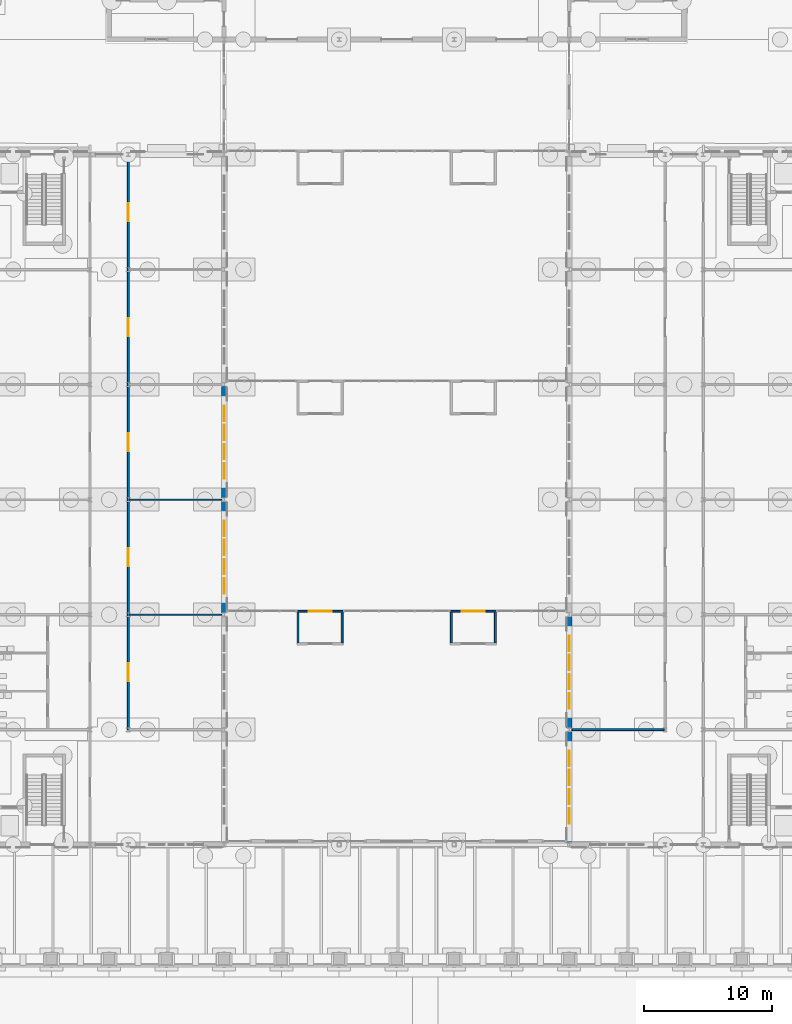
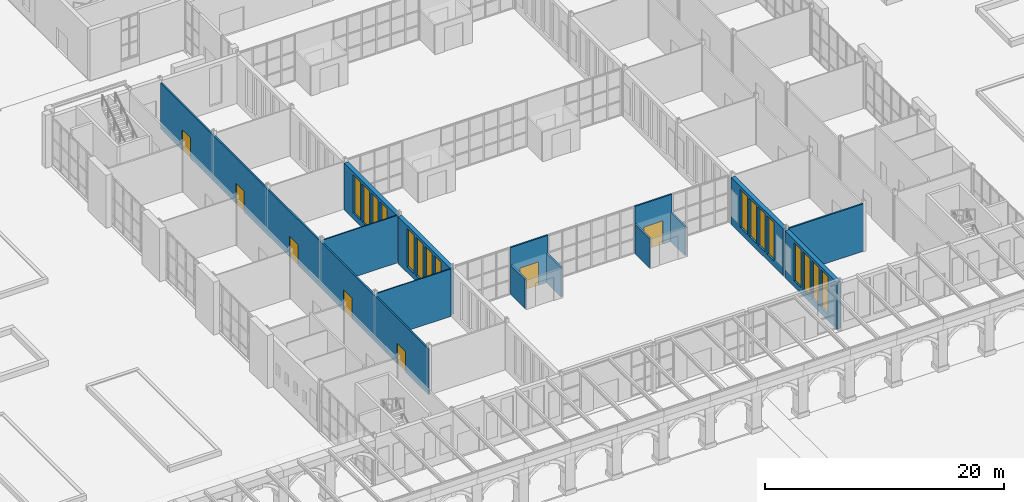
# One storey, part 88 of 168: 16 windows, 14 walls, 7 doors, 23 openings.
"""IFC4 building model written with IfcOpenShell, lengths in metres."""

from ifc_helpers import new_model, si_unit, direction, frame, frame_2d, origin, place, context, subcontext, project, spatial, rectangle, extrude, material, layer, layer_set, type_object, element, fill, save


model = new_model("IFC4")

# Units and contexts
model_context = context("Model", 3, precision=1e-05, world=origin(), true_north=direction((0.0, 1.0)))
body_context = subcontext(model_context, "Body", "Model", "MODEL_VIEW")
ifc_project = project(units=[si_unit("LENGTHUNIT", "METRE"), si_unit("AREAUNIT", "SQUARE_METRE"), si_unit("VOLUMEUNIT", "CUBIC_METRE"), si_unit("PLANEANGLEUNIT", "RADIAN"), si_unit("MASSUNIT", "GRAM", prefix="KILO")], contexts=[model_context])

# Site, building, storey
site_placement = place(None, origin())
site = spatial("IfcSite", under=ifc_project, at=site_placement, CompositionType="ELEMENT")
building_placement = place(site_placement, origin())
building = spatial("IfcBuilding", under=site, at=building_placement, Name="Golden Quay Civic Hall", CompositionType="ELEMENT")
storey_placement = place(building_placement, origin())
storey = spatial("IfcBuildingStorey", under=building, at=storey_placement, Name="L00", CompositionType="ELEMENT", Elevation=0.0)

# Walls
ifc_material_1 = material(Name="Fire-resisting glass and steel", Category="steel")
ifc_layer_1 = layer(ifc_material_1, 0.14990234375)
ifc_layer_set_1 = layer_set([ifc_layer_1], Name="Fire lobby glazed wall 150")
wall_type_1 = type_object("IfcWallType", Name="Fire lobby glazed wall 150", PredefinedType="STANDARD", material=ifc_layer_set_1)
for number, where, z_axis, x_axis, name in (
    (1, (77.77490234375, 15.794921875, 0.0), (0.0, 0.0, 1.0), (0.0, 1.0, 0.0), "Fire lobby wall 1"),
    (2, (81.22509765625, 15.794921875, 0.0), (0.0, 0.0, 1.0), (0.0, 1.0, 0.0), "Fire lobby wall 1"),
    (3, (89.77490234375, 15.794921875, 0.0), (0.0, 0.0, 1.0), (0.0, 1.0, 0.0), "Fire lobby wall 1"),
    (4, (93.22509765625, 15.794921875, 0.0), (0.0, 0.0, 1.0), (0.0, 1.0, 0.0), "Fire lobby wall 1"),
):
    element("IfcWall", number, at=place(storey_placement, frame(where, z_axis=z_axis, x_axis=x_axis)), inside=storey, type_object=wall_type_1, Name=name, PredefinedType="STANDARD", context=body_context, shape_type="SweptSolid", body=[
        extrude(rectangle(XDim=2.400146484375, YDim=0.14990234375, at=frame_2d((1.2001953125, 0.0))), origin(), (0.0, 0.0, 1.0), 3.0),
    ])

# Wall, opening, door
ifc_material_2 = material(Name="Fire-resisting glass and steel", Category="steel")
ifc_layer_2 = layer(ifc_material_2, 0.14990234375)
ifc_layer_set_2 = layer_set([ifc_layer_2], Name="Fire-resisting glazed screen wall 150")
wall_type_2 = type_object("IfcWallType", Name="Fire-resisting glazed screen wall 150", PredefinedType="STANDARD", material=ifc_layer_set_2)
wall_1_placement = place(storey_placement, frame((77.699951171875, 18.27001953125, 0.0), z_axis=(0.0, 0.0, 1.0), x_axis=(1.0, 0.0, 0.0)))
wall_1 = element("IfcWall", 5, at=wall_1_placement, inside=storey, type_object=wall_type_2, Name="Fire screen wall 1", PredefinedType="STANDARD", context=body_context, shape_type="SweptSolid", body=[
    extrude(rectangle(XDim=3.60009765625, YDim=0.14990234375, at=frame_2d((1.800048828125, 0.0))), origin(), (0.0, 0.0, 1.0), 4.800048828125),
])
opening_1_placement = place(wall_1_placement, frame((0.89990234375, 0.0, 0.0)))
opening_1 = element("IfcOpeningElement", 6, at=opening_1_placement, cuts=wall_1, Name="Opening L00-D022", PredefinedType="OPENING", context=body_context, shape_type="SweptSolid", body=[
    extrude(rectangle(XDim=1.800048828125, YDim=2.39990234375, at=frame_2d((0.89990234375, 1.199951171875))), frame((0.0, 0.0849609375, 0.0), z_axis=(0.0, -1.0, 0.0), x_axis=(1.0, 0.0, 0.0)), (0.0, 0.0, 1.0), 0.169921875),
])
ifc_material_3 = material(Name="Fire-resisting glass and steel", Category="steel")
door_type_1 = type_object("IfcDoorType", Name="Fire-rated glazed double door 1800 x 2400", OperationType="DOUBLE_DOOR_SINGLE_SWING", PredefinedType="DOOR", material=ifc_material_3)
door_1_placement = place(opening_1_placement, origin())
door_1 = element("IfcDoor", 7, at=door_1_placement, inside=storey, type_object=door_type_1, Name="Fire screen door 1", OperationType="DOUBLE_DOOR_SINGLE_SWING", OverallHeight=2.39990234375, OverallWidth=1.800048828125, PredefinedType="DOOR", context=body_context, shape_type="SweptSolid", body=[
    extrude(rectangle(XDim=1.800048828125, YDim=2.39990234375, at=frame_2d((0.89990234375, 1.199951171875))), frame((0.0, 0.02490234375, 0.0), z_axis=(0.0, -1.0, 0.0), x_axis=(1.0, 0.0, 0.0)), (0.0, 0.0, 1.0), 0.050048828125),
])
fill(opening_1, door_1)

wall_2_placement = place(storey_placement, frame((89.699951171875, 18.27001953125, 0.0), z_axis=(0.0, 0.0, 1.0), x_axis=(1.0, 0.0, 0.0)))
wall_2 = element("IfcWall", 8, at=wall_2_placement, inside=storey, type_object=wall_type_2, Name="Fire screen wall 1", PredefinedType="STANDARD", context=body_context, shape_type="SweptSolid", body=[
    extrude(rectangle(XDim=3.60009765625, YDim=0.14990234375, at=frame_2d((1.800048828125, 0.0))), origin(), (0.0, 0.0, 1.0), 4.800048828125),
])
opening_2_placement = place(wall_2_placement, frame((0.89990234375, 0.0, 0.0)))
opening_2 = element("IfcOpeningElement", 9, at=opening_2_placement, cuts=wall_2, Name="Opening L00-D023", PredefinedType="OPENING", context=body_context, shape_type="SweptSolid", body=[
    extrude(rectangle(XDim=1.800048828125, YDim=2.39990234375, at=frame_2d((0.89990234375, 1.199951171875))), frame((0.0, 0.0849609375, 0.0), z_axis=(0.0, -1.0, 0.0), x_axis=(1.0, 0.0, 0.0)), (0.0, 0.0, 1.0), 0.169921875),
])
door_2_placement = place(opening_2_placement, origin())
door_2 = element("IfcDoor", 10, at=door_2_placement, inside=storey, type_object=door_type_1, Name="Fire screen door 1", OperationType="DOUBLE_DOOR_SINGLE_SWING", OverallHeight=2.39990234375, OverallWidth=1.800048828125, PredefinedType="DOOR", context=body_context, shape_type="SweptSolid", body=[
    extrude(rectangle(XDim=1.800048828125, YDim=2.39990234375, at=frame_2d((0.89990234375, 1.199951171875))), frame((0.0, 0.02490234375, 0.0), z_axis=(0.0, -1.0, 0.0), x_axis=(1.0, 0.0, 0.0)), (0.0, 0.0, 1.0), 0.050048828125),
])
fill(opening_2, door_2)

# Walls
ifc_material_4 = material(Name="Plasterboard on steel studs", Category="steel")
ifc_layer_3 = layer(ifc_material_4, 0.10009765625)
ifc_layer_set_3 = layer_set([ifc_layer_3], Name="Partition 100 stud")
wall_type_3 = type_object("IfcWallType", Name="Partition 100 stud", PredefinedType="PARTITIONING", material=ifc_layer_set_3)
for number, where, z_axis, x_axis, name in (
    (11, (64.574951171875, 18.0, 0.0), (0.0, 0.0, 1.0), (1.0, 0.0, 0.0), "Partition L00-005"),
    (12, (64.574951171875, 27.0, 0.0), (0.0, 0.0, 1.0), (1.0, 0.0, 0.0), "Partition L00-006"),
):
    element("IfcWall", number, at=place(storey_placement, frame(where, z_axis=z_axis, x_axis=x_axis)), inside=storey, type_object=wall_type_3, Name=name, PredefinedType="PARTITIONING", context=body_context, shape_type="SweptSolid", body=[
        extrude(rectangle(XDim=7.22509765625, YDim=0.10009765625, at=frame_2d((3.612548828125, 0.0))), origin(), (0.0, 0.0, 1.0), 4.85009765625),
    ])

# Wall, openings, doors
ifc_material_5 = material(Name="Plasterboard on steel studs", Category="steel")
ifc_layer_4 = layer(ifc_material_5, 0.14990234375)
ifc_layer_set_4 = layer_set([ifc_layer_4], Name="Partition 150 stud fire EI 60")
wall_type_4 = type_object("IfcWallType", Name="Partition 150 stud fire EI 60", PredefinedType="PARTITIONING", material=ifc_layer_set_4)
wall_3_placement = place(storey_placement, frame((64.5, 9.0, 0.0), z_axis=(0.0, 0.0, 1.0), x_axis=(0.0, 1.0, 0.0)))
wall_3 = element("IfcWall", 13, at=wall_3_placement, inside=storey, type_object=wall_type_4, Name="Partition L00-011", PredefinedType="PARTITIONING", context=body_context, shape_type="SweptSolid", body=[
    extrude(rectangle(XDim=44.800048828125, YDim=0.14990234375, at=frame_2d((22.39990234375, 0.0))), origin(), (0.0, 0.0, 1.0), 4.679931640625),
])
opening_3_placement = place(wall_3_placement, frame((3.800048828125, 0.0, 0.0)))
opening_3 = element("IfcOpeningElement", 14, at=opening_3_placement, cuts=wall_3, Name="Opening L00-D112", PredefinedType="OPENING", context=body_context, shape_type="SweptSolid", body=[
    extrude(rectangle(XDim=1.39990234375, YDim=2.10009765625, at=frame_2d((0.699951171875, 1.050048828125))), frame((0.0, 0.0849609375, 0.0), z_axis=(0.0, -1.0, 0.0), x_axis=(1.0, 0.0, 0.0)), (0.0, 0.0, 1.0), 0.169921875),
])
opening_4_placement = place(wall_3_placement, frame((12.800048828125, 0.0, 0.0)))
opening_4 = element("IfcOpeningElement", 15, at=opening_4_placement, cuts=wall_3, Name="Opening L00-D113", PredefinedType="OPENING", context=body_context, shape_type="SweptSolid", body=[
    extrude(rectangle(XDim=1.39990234375, YDim=2.10009765625, at=frame_2d((0.699951171875, 1.050048828125))), frame((0.0, 0.0849609375, 0.0), z_axis=(0.0, -1.0, 0.0), x_axis=(1.0, 0.0, 0.0)), (0.0, 0.0, 1.0), 0.169921875),
])
opening_5_placement = place(wall_3_placement, frame((21.800048828125, 0.0, 0.0)))
opening_5 = element("IfcOpeningElement", 16, at=opening_5_placement, cuts=wall_3, Name="Opening L00-D114", PredefinedType="OPENING", context=body_context, shape_type="SweptSolid", body=[
    extrude(rectangle(XDim=1.39990234375, YDim=2.10009765625, at=frame_2d((0.699951171875, 1.050048828125))), frame((0.0, 0.0849609375, 0.0), z_axis=(0.0, -1.0, 0.0), x_axis=(1.0, 0.0, 0.0)), (0.0, 0.0, 1.0), 0.169921875),
])
opening_6_placement = place(wall_3_placement, frame((30.800048828125, 0.0, 0.0)))
opening_6 = element("IfcOpeningElement", 17, at=opening_6_placement, cuts=wall_3, Name="Opening L00-D115", PredefinedType="OPENING", context=body_context, shape_type="SweptSolid", body=[
    extrude(rectangle(XDim=1.39990234375, YDim=2.10009765625, at=frame_2d((0.699951171875, 1.050048828125))), frame((0.0, 0.0849609375, 0.0), z_axis=(0.0, -1.0, 0.0), x_axis=(1.0, 0.0, 0.0)), (0.0, 0.0, 1.0), 0.169921875),
])
opening_7_placement = place(wall_3_placement, frame((39.800048828125, 0.0, 0.0)))
opening_7 = element("IfcOpeningElement", 18, at=opening_7_placement, cuts=wall_3, Name="Opening L00-D116", PredefinedType="OPENING", context=body_context, shape_type="SweptSolid", body=[
    extrude(rectangle(XDim=1.39990234375, YDim=2.10009765625, at=frame_2d((0.699951171875, 1.050048828125))), frame((0.0, 0.0849609375, 0.0), z_axis=(0.0, -1.0, 0.0), x_axis=(1.0, 0.0, 0.0)), (0.0, 0.0, 1.0), 0.169921875),
])
ifc_material_6 = material(Name="Steel", Category="steel")
door_type_2 = type_object("IfcDoorType", Name="Steel double fire door FD30S 1400 x 2100", OperationType="DOUBLE_DOOR_SINGLE_SWING", PredefinedType="DOOR", material=ifc_material_6)
door_3_placement = place(opening_3_placement, frame((1.39990234375, 0.0, 0.0), z_axis=(0.0, 0.0, 1.0), x_axis=(-1.0, 0.0, 0.0)))
door_3 = element("IfcDoor", 19, at=door_3_placement, inside=storey, type_object=door_type_2, Name="Door L00-D112", OperationType="DOUBLE_DOOR_SINGLE_SWING", OverallHeight=2.10009765625, OverallWidth=1.39990234375, PredefinedType="DOOR", context=body_context, shape_type="SweptSolid", body=[
    extrude(rectangle(XDim=1.39990234375, YDim=2.10009765625, at=frame_2d((0.699951171875, 1.050048828125))), frame((0.0, 0.025146484375, 0.0), z_axis=(0.0, -1.0, 0.0), x_axis=(1.0, 0.0, 0.0)), (0.0, 0.0, 1.0), 0.050048828125),
])
fill(opening_3, door_3)
door_4_placement = place(opening_4_placement, frame((1.39990234375, 0.0, 0.0), z_axis=(0.0, 0.0, 1.0), x_axis=(-1.0, 0.0, 0.0)))
door_4 = element("IfcDoor", 20, at=door_4_placement, inside=storey, type_object=door_type_2, Name="Door L00-D113", OperationType="DOUBLE_DOOR_SINGLE_SWING", OverallHeight=2.10009765625, OverallWidth=1.39990234375, PredefinedType="DOOR", context=body_context, shape_type="SweptSolid", body=[
    extrude(rectangle(XDim=1.39990234375, YDim=2.10009765625, at=frame_2d((0.699951171875, 1.050048828125))), frame((0.0, 0.025146484375, 0.0), z_axis=(0.0, -1.0, 0.0), x_axis=(1.0, 0.0, 0.0)), (0.0, 0.0, 1.0), 0.050048828125),
])
fill(opening_4, door_4)
door_5_placement = place(opening_5_placement, frame((1.39990234375, 0.0, 0.0), z_axis=(0.0, 0.0, 1.0), x_axis=(-1.0, 0.0, 0.0)))
door_5 = element("IfcDoor", 21, at=door_5_placement, inside=storey, type_object=door_type_2, Name="Door L00-D114", OperationType="DOUBLE_DOOR_SINGLE_SWING", OverallHeight=2.10009765625, OverallWidth=1.39990234375, PredefinedType="DOOR", context=body_context, shape_type="SweptSolid", body=[
    extrude(rectangle(XDim=1.39990234375, YDim=2.10009765625, at=frame_2d((0.699951171875, 1.050048828125))), frame((0.0, 0.025146484375, 0.0), z_axis=(0.0, -1.0, 0.0), x_axis=(1.0, 0.0, 0.0)), (0.0, 0.0, 1.0), 0.050048828125),
])
fill(opening_5, door_5)
door_6_placement = place(opening_6_placement, frame((1.39990234375, 0.0, 0.0), z_axis=(0.0, 0.0, 1.0), x_axis=(-1.0, 0.0, 0.0)))
door_6 = element("IfcDoor", 22, at=door_6_placement, inside=storey, type_object=door_type_2, Name="Door L00-D115", OperationType="DOUBLE_DOOR_SINGLE_SWING", OverallHeight=2.10009765625, OverallWidth=1.39990234375, PredefinedType="DOOR", context=body_context, shape_type="SweptSolid", body=[
    extrude(rectangle(XDim=1.39990234375, YDim=2.10009765625, at=frame_2d((0.699951171875, 1.050048828125))), frame((0.0, 0.025146484375, 0.0), z_axis=(0.0, -1.0, 0.0), x_axis=(1.0, 0.0, 0.0)), (0.0, 0.0, 1.0), 0.050048828125),
])
fill(opening_6, door_6)
door_7_placement = place(opening_7_placement, frame((1.39990234375, 0.0, 0.0), z_axis=(0.0, 0.0, 1.0), x_axis=(-1.0, 0.0, 0.0)))
door_7 = element("IfcDoor", 23, at=door_7_placement, inside=storey, type_object=door_type_2, Name="Door L00-D116", OperationType="DOUBLE_DOOR_SINGLE_SWING", OverallHeight=2.10009765625, OverallWidth=1.39990234375, PredefinedType="DOOR", context=body_context, shape_type="SweptSolid", body=[
    extrude(rectangle(XDim=1.39990234375, YDim=2.10009765625, at=frame_2d((0.699951171875, 1.050048828125))), frame((0.0, 0.025146484375, 0.0), z_axis=(0.0, -1.0, 0.0), x_axis=(1.0, 0.0, 0.0)), (0.0, 0.0, 1.0), 0.050048828125),
])
fill(opening_7, door_7)

# Wall
wall_4_placement = place(storey_placement, frame((99.199951171875, 9.0, 0.0), z_axis=(0.0, 0.0, 1.0), x_axis=(1.0, 0.0, 0.0)))
element("IfcWall", 24, at=wall_4_placement, inside=storey, type_object=wall_type_4, Name="Partition L00-004", PredefinedType="PARTITIONING", context=body_context, shape_type="SweptSolid", body=[
    extrude(rectangle(XDim=7.22509765625, YDim=0.14990234375, at=frame_2d((3.612548828125, 0.0))), origin(), (0.0, 0.0, 1.0), 4.85009765625),
])

# Wall, openings, windows
ifc_material_7 = material(Name="Clay block, rendered, cream")
ifc_layer_5 = layer(ifc_material_7, 0.39990234375)
ifc_layer_set_5 = layer_set([ifc_layer_5], Name="Rendered block external wall 400")
wall_type_5 = type_object("IfcWallType", Name="Rendered block external wall 400", PredefinedType="STANDARD", material=ifc_layer_set_5)
wall_5_placement = place(storey_placement, frame((72.0, 26.85498046875, 0.0), z_axis=(0.0, 0.0, 1.0), x_axis=(0.0, -1.0, 0.0)))
wall_5 = element("IfcWall", 25, at=wall_5_placement, inside=storey, type_object=wall_type_5, Name="Rendered block external wall 400 L00 26", PredefinedType="STANDARD", context=body_context, shape_type="SweptSolid", body=[
    extrude(rectangle(XDim=8.7099609375, YDim=0.39990234375, at=frame_2d((4.35498046875, 0.0))), origin(), (0.0, 0.0, 1.0), 4.800048828125),
])
opening_8_placement = place(wall_5_placement, frame((6.0048828125, 0.0, 0.60009765625)))
opening_8 = element("IfcOpeningElement", 26, at=opening_8_placement, cuts=wall_5, Name="Opening WN3", PredefinedType="OPENING", context=body_context, shape_type="SweptSolid", body=[
    extrude(rectangle(XDim=1.199951171875, YDim=3.89990234375, at=frame_2d((0.60009765625, 1.949951171875))), frame((0.0, 0.2099609375, 0.0), z_axis=(0.0, -1.0, 0.0), x_axis=(1.0, 0.0, 0.0)), (0.0, 0.0, 1.0), 0.419921875),
])
opening_9_placement = place(wall_5_placement, frame((4.5048828125, 0.0, 0.60009765625)))
opening_9 = element("IfcOpeningElement", 27, at=opening_9_placement, cuts=wall_5, Name="Opening WN3", PredefinedType="OPENING", context=body_context, shape_type="SweptSolid", body=[
    extrude(rectangle(XDim=1.199951171875, YDim=3.89990234375, at=frame_2d((0.60009765625, 1.949951171875))), frame((0.0, 0.2099609375, 0.0), z_axis=(0.0, -1.0, 0.0), x_axis=(1.0, 0.0, 0.0)), (0.0, 0.0, 1.0), 0.419921875),
])
opening_10_placement = place(wall_5_placement, frame((3.0048828125, 0.0, 0.60009765625)))
opening_10 = element("IfcOpeningElement", 28, at=opening_10_placement, cuts=wall_5, Name="Opening WN3", PredefinedType="OPENING", context=body_context, shape_type="SweptSolid", body=[
    extrude(rectangle(XDim=1.199951171875, YDim=3.89990234375, at=frame_2d((0.60009765625, 1.949951171875))), frame((0.0, 0.2099609375, 0.0), z_axis=(0.0, -1.0, 0.0), x_axis=(1.0, 0.0, 0.0)), (0.0, 0.0, 1.0), 0.419921875),
])
opening_11_placement = place(wall_5_placement, frame((1.5048828125, 0.0, 0.60009765625)))
opening_11 = element("IfcOpeningElement", 29, at=opening_11_placement, cuts=wall_5, Name="Opening WN3", PredefinedType="OPENING", context=body_context, shape_type="SweptSolid", body=[
    extrude(rectangle(XDim=1.199951171875, YDim=3.89990234375, at=frame_2d((0.60009765625, 1.949951171875))), frame((0.0, 0.2099609375, 0.0), z_axis=(0.0, -1.0, 0.0), x_axis=(1.0, 0.0, 0.0)), (0.0, 0.0, 1.0), 0.419921875),
])
ifc_material_8 = material(Name="Aluminium frame, double glazed", Category="aluminium")
window_type = type_object("IfcWindowType", Name="Golden grid window 1200 x 3900", PartitioningType="SINGLE_PANEL", PredefinedType="WINDOW", material=ifc_material_8)
window_1_placement = place(opening_8_placement, origin())
window_1 = element("IfcWindow", 30, at=window_1_placement, inside=storey, type_object=window_type, Name="Golden grid window 1200 x 3900 L00 51", OverallHeight=3.89990234375, OverallWidth=1.199951171875, PartitioningType="SINGLE_PANEL", PredefinedType="WINDOW", context=body_context, shape_type="SweptSolid", body=[
    extrude(rectangle(XDim=1.199951171875, YDim=3.89990234375, at=frame_2d((0.60009765625, 1.949951171875))), frame((0.0, 0.030029296875, 0.0), z_axis=(0.0, -1.0, 0.0), x_axis=(1.0, 0.0, 0.0)), (0.0, 0.0, 1.0), 0.06005859375),
])
fill(opening_8, window_1)
window_2_placement = place(opening_9_placement, origin())
window_2 = element("IfcWindow", 31, at=window_2_placement, inside=storey, type_object=window_type, Name="Golden grid window 1200 x 3900 L00 52", OverallHeight=3.89990234375, OverallWidth=1.199951171875, PartitioningType="SINGLE_PANEL", PredefinedType="WINDOW", context=body_context, shape_type="SweptSolid", body=[
    extrude(rectangle(XDim=1.199951171875, YDim=3.89990234375, at=frame_2d((0.60009765625, 1.949951171875))), frame((0.0, 0.030029296875, 0.0), z_axis=(0.0, -1.0, 0.0), x_axis=(1.0, 0.0, 0.0)), (0.0, 0.0, 1.0), 0.06005859375),
])
fill(opening_9, window_2)
window_3_placement = place(opening_10_placement, origin())
window_3 = element("IfcWindow", 32, at=window_3_placement, inside=storey, type_object=window_type, Name="Golden grid window 1200 x 3900 L00 53", OverallHeight=3.89990234375, OverallWidth=1.199951171875, PartitioningType="SINGLE_PANEL", PredefinedType="WINDOW", context=body_context, shape_type="SweptSolid", body=[
    extrude(rectangle(XDim=1.199951171875, YDim=3.89990234375, at=frame_2d((0.60009765625, 1.949951171875))), frame((0.0, 0.030029296875, 0.0), z_axis=(0.0, -1.0, 0.0), x_axis=(1.0, 0.0, 0.0)), (0.0, 0.0, 1.0), 0.06005859375),
])
fill(opening_10, window_3)
window_4_placement = place(opening_11_placement, origin())
window_4 = element("IfcWindow", 33, at=window_4_placement, inside=storey, type_object=window_type, Name="Golden grid window 1200 x 3900 L00 54", OverallHeight=3.89990234375, OverallWidth=1.199951171875, PartitioningType="SINGLE_PANEL", PredefinedType="WINDOW", context=body_context, shape_type="SweptSolid", body=[
    extrude(rectangle(XDim=1.199951171875, YDim=3.89990234375, at=frame_2d((0.60009765625, 1.949951171875))), frame((0.0, 0.030029296875, 0.0), z_axis=(0.0, -1.0, 0.0), x_axis=(1.0, 0.0, 0.0)), (0.0, 0.0, 1.0), 0.06005859375),
])
fill(opening_11, window_4)

wall_6_placement = place(storey_placement, frame((72.0, 35.85498046875, 0.0), z_axis=(0.0, 0.0, 1.0), x_axis=(0.0, -1.0, 0.0)))
wall_6 = element("IfcWall", 34, at=wall_6_placement, inside=storey, type_object=wall_type_5, Name="Rendered block external wall 400 L00 27", PredefinedType="STANDARD", context=body_context, shape_type="SweptSolid", body=[
    extrude(rectangle(XDim=8.7099609375, YDim=0.39990234375, at=frame_2d((4.35498046875, 0.0))), origin(), (0.0, 0.0, 1.0), 4.800048828125),
])
opening_12_placement = place(wall_6_placement, frame((6.0048828125, 0.0, 0.60009765625)))
opening_12 = element("IfcOpeningElement", 35, at=opening_12_placement, cuts=wall_6, Name="Opening WN3", PredefinedType="OPENING", context=body_context, shape_type="SweptSolid", body=[
    extrude(rectangle(XDim=1.199951171875, YDim=3.89990234375, at=frame_2d((0.60009765625, 1.949951171875))), frame((0.0, 0.2099609375, 0.0), z_axis=(0.0, -1.0, 0.0), x_axis=(1.0, 0.0, 0.0)), (0.0, 0.0, 1.0), 0.419921875),
])
opening_13_placement = place(wall_6_placement, frame((4.5048828125, 0.0, 0.60009765625)))
opening_13 = element("IfcOpeningElement", 36, at=opening_13_placement, cuts=wall_6, Name="Opening WN3", PredefinedType="OPENING", context=body_context, shape_type="SweptSolid", body=[
    extrude(rectangle(XDim=1.199951171875, YDim=3.89990234375, at=frame_2d((0.60009765625, 1.949951171875))), frame((0.0, 0.2099609375, 0.0), z_axis=(0.0, -1.0, 0.0), x_axis=(1.0, 0.0, 0.0)), (0.0, 0.0, 1.0), 0.419921875),
])
opening_14_placement = place(wall_6_placement, frame((3.0048828125, 0.0, 0.60009765625)))
opening_14 = element("IfcOpeningElement", 37, at=opening_14_placement, cuts=wall_6, Name="Opening WN3", PredefinedType="OPENING", context=body_context, shape_type="SweptSolid", body=[
    extrude(rectangle(XDim=1.199951171875, YDim=3.89990234375, at=frame_2d((0.60009765625, 1.949951171875))), frame((0.0, 0.2099609375, 0.0), z_axis=(0.0, -1.0, 0.0), x_axis=(1.0, 0.0, 0.0)), (0.0, 0.0, 1.0), 0.419921875),
])
opening_15_placement = place(wall_6_placement, frame((1.5048828125, 0.0, 0.60009765625)))
opening_15 = element("IfcOpeningElement", 38, at=opening_15_placement, cuts=wall_6, Name="Opening WN3", PredefinedType="OPENING", context=body_context, shape_type="SweptSolid", body=[
    extrude(rectangle(XDim=1.199951171875, YDim=3.89990234375, at=frame_2d((0.60009765625, 1.949951171875))), frame((0.0, 0.2099609375, 0.0), z_axis=(0.0, -1.0, 0.0), x_axis=(1.0, 0.0, 0.0)), (0.0, 0.0, 1.0), 0.419921875),
])
window_5_placement = place(opening_12_placement, origin())
window_5 = element("IfcWindow", 39, at=window_5_placement, inside=storey, type_object=window_type, Name="Golden grid window 1200 x 3900 L00 55", OverallHeight=3.89990234375, OverallWidth=1.199951171875, PartitioningType="SINGLE_PANEL", PredefinedType="WINDOW", context=body_context, shape_type="SweptSolid", body=[
    extrude(rectangle(XDim=1.199951171875, YDim=3.89990234375, at=frame_2d((0.60009765625, 1.949951171875))), frame((0.0, 0.030029296875, 0.0), z_axis=(0.0, -1.0, 0.0), x_axis=(1.0, 0.0, 0.0)), (0.0, 0.0, 1.0), 0.06005859375),
])
fill(opening_12, window_5)
window_6_placement = place(opening_13_placement, origin())
window_6 = element("IfcWindow", 40, at=window_6_placement, inside=storey, type_object=window_type, Name="Golden grid window 1200 x 3900 L00 56", OverallHeight=3.89990234375, OverallWidth=1.199951171875, PartitioningType="SINGLE_PANEL", PredefinedType="WINDOW", context=body_context, shape_type="SweptSolid", body=[
    extrude(rectangle(XDim=1.199951171875, YDim=3.89990234375, at=frame_2d((0.60009765625, 1.949951171875))), frame((0.0, 0.030029296875, 0.0), z_axis=(0.0, -1.0, 0.0), x_axis=(1.0, 0.0, 0.0)), (0.0, 0.0, 1.0), 0.06005859375),
])
fill(opening_13, window_6)
window_7_placement = place(opening_14_placement, origin())
window_7 = element("IfcWindow", 41, at=window_7_placement, inside=storey, type_object=window_type, Name="Golden grid window 1200 x 3900 L00 57", OverallHeight=3.89990234375, OverallWidth=1.199951171875, PartitioningType="SINGLE_PANEL", PredefinedType="WINDOW", context=body_context, shape_type="SweptSolid", body=[
    extrude(rectangle(XDim=1.199951171875, YDim=3.89990234375, at=frame_2d((0.60009765625, 1.949951171875))), frame((0.0, 0.030029296875, 0.0), z_axis=(0.0, -1.0, 0.0), x_axis=(1.0, 0.0, 0.0)), (0.0, 0.0, 1.0), 0.06005859375),
])
fill(opening_14, window_7)
window_8_placement = place(opening_15_placement, origin())
window_8 = element("IfcWindow", 42, at=window_8_placement, inside=storey, type_object=window_type, Name="Golden grid window 1200 x 3900 L00 58", OverallHeight=3.89990234375, OverallWidth=1.199951171875, PartitioningType="SINGLE_PANEL", PredefinedType="WINDOW", context=body_context, shape_type="SweptSolid", body=[
    extrude(rectangle(XDim=1.199951171875, YDim=3.89990234375, at=frame_2d((0.60009765625, 1.949951171875))), frame((0.0, 0.030029296875, 0.0), z_axis=(0.0, -1.0, 0.0), x_axis=(1.0, 0.0, 0.0)), (0.0, 0.0, 1.0), 0.06005859375),
])
fill(opening_15, window_8)

wall_7_placement = place(storey_placement, frame((99.0, 0.14501953125, 0.0), z_axis=(0.0, 0.0, 1.0), x_axis=(0.0, 1.0, 0.0)))
wall_7 = element("IfcWall", 43, at=wall_7_placement, inside=storey, type_object=wall_type_5, Name="Rendered block external wall 400 L00 32", PredefinedType="STANDARD", context=body_context, shape_type="SweptSolid", body=[
    extrude(rectangle(XDim=8.7099609375, YDim=0.39990234375, at=frame_2d((4.35498046875, 0.0))), origin(), (0.0, 0.0, 1.0), 4.800048828125),
])
opening_16_placement = place(wall_7_placement, frame((1.5048828125, 0.0, 0.60009765625)))
opening_16 = element("IfcOpeningElement", 44, at=opening_16_placement, cuts=wall_7, Name="Opening WN3", PredefinedType="OPENING", context=body_context, shape_type="SweptSolid", body=[
    extrude(rectangle(XDim=1.199951171875, YDim=3.89990234375, at=frame_2d((0.60009765625, 1.949951171875))), frame((0.0, 0.2099609375, 0.0), z_axis=(0.0, -1.0, 0.0), x_axis=(1.0, 0.0, 0.0)), (0.0, 0.0, 1.0), 0.419921875),
])
opening_17_placement = place(wall_7_placement, frame((3.0048828125, 0.0, 0.60009765625)))
opening_17 = element("IfcOpeningElement", 45, at=opening_17_placement, cuts=wall_7, Name="Opening WN3", PredefinedType="OPENING", context=body_context, shape_type="SweptSolid", body=[
    extrude(rectangle(XDim=1.199951171875, YDim=3.89990234375, at=frame_2d((0.60009765625, 1.949951171875))), frame((0.0, 0.2099609375, 0.0), z_axis=(0.0, -1.0, 0.0), x_axis=(1.0, 0.0, 0.0)), (0.0, 0.0, 1.0), 0.419921875),
])
opening_18_placement = place(wall_7_placement, frame((4.5048828125, 0.0, 0.60009765625)))
opening_18 = element("IfcOpeningElement", 46, at=opening_18_placement, cuts=wall_7, Name="Opening WN3", PredefinedType="OPENING", context=body_context, shape_type="SweptSolid", body=[
    extrude(rectangle(XDim=1.199951171875, YDim=3.89990234375, at=frame_2d((0.60009765625, 1.949951171875))), frame((0.0, 0.2099609375, 0.0), z_axis=(0.0, -1.0, 0.0), x_axis=(1.0, 0.0, 0.0)), (0.0, 0.0, 1.0), 0.419921875),
])
opening_19_placement = place(wall_7_placement, frame((6.0048828125, 0.0, 0.60009765625)))
opening_19 = element("IfcOpeningElement", 47, at=opening_19_placement, cuts=wall_7, Name="Opening WN3", PredefinedType="OPENING", context=body_context, shape_type="SweptSolid", body=[
    extrude(rectangle(XDim=1.199951171875, YDim=3.89990234375, at=frame_2d((0.60009765625, 1.949951171875))), frame((0.0, 0.2099609375, 0.0), z_axis=(0.0, -1.0, 0.0), x_axis=(1.0, 0.0, 0.0)), (0.0, 0.0, 1.0), 0.419921875),
])
window_9_placement = place(opening_16_placement, origin())
window_9 = element("IfcWindow", 48, at=window_9_placement, inside=storey, type_object=window_type, Name="Golden grid window 1200 x 3900 L00 70", OverallHeight=3.89990234375, OverallWidth=1.199951171875, PartitioningType="SINGLE_PANEL", PredefinedType="WINDOW", context=body_context, shape_type="SweptSolid", body=[
    extrude(rectangle(XDim=1.199951171875, YDim=3.89990234375, at=frame_2d((0.60009765625, 1.949951171875))), frame((0.0, 0.030029296875, 0.0), z_axis=(0.0, -1.0, 0.0), x_axis=(1.0, 0.0, 0.0)), (0.0, 0.0, 1.0), 0.06005859375),
])
fill(opening_16, window_9)
window_10_placement = place(opening_17_placement, origin())
window_10 = element("IfcWindow", 49, at=window_10_placement, inside=storey, type_object=window_type, Name="Golden grid window 1200 x 3900 L00 71", OverallHeight=3.89990234375, OverallWidth=1.199951171875, PartitioningType="SINGLE_PANEL", PredefinedType="WINDOW", context=body_context, shape_type="SweptSolid", body=[
    extrude(rectangle(XDim=1.199951171875, YDim=3.89990234375, at=frame_2d((0.60009765625, 1.949951171875))), frame((0.0, 0.030029296875, 0.0), z_axis=(0.0, -1.0, 0.0), x_axis=(1.0, 0.0, 0.0)), (0.0, 0.0, 1.0), 0.06005859375),
])
fill(opening_17, window_10)
window_11_placement = place(opening_18_placement, origin())
window_11 = element("IfcWindow", 50, at=window_11_placement, inside=storey, type_object=window_type, Name="Golden grid window 1200 x 3900 L00 72", OverallHeight=3.89990234375, OverallWidth=1.199951171875, PartitioningType="SINGLE_PANEL", PredefinedType="WINDOW", context=body_context, shape_type="SweptSolid", body=[
    extrude(rectangle(XDim=1.199951171875, YDim=3.89990234375, at=frame_2d((0.60009765625, 1.949951171875))), frame((0.0, 0.030029296875, 0.0), z_axis=(0.0, -1.0, 0.0), x_axis=(1.0, 0.0, 0.0)), (0.0, 0.0, 1.0), 0.06005859375),
])
fill(opening_18, window_11)
window_12_placement = place(opening_19_placement, origin())
window_12 = element("IfcWindow", 51, at=window_12_placement, inside=storey, type_object=window_type, Name="Golden grid window 1200 x 3900 L00 73", OverallHeight=3.89990234375, OverallWidth=1.199951171875, PartitioningType="SINGLE_PANEL", PredefinedType="WINDOW", context=body_context, shape_type="SweptSolid", body=[
    extrude(rectangle(XDim=1.199951171875, YDim=3.89990234375, at=frame_2d((0.60009765625, 1.949951171875))), frame((0.0, 0.030029296875, 0.0), z_axis=(0.0, -1.0, 0.0), x_axis=(1.0, 0.0, 0.0)), (0.0, 0.0, 1.0), 0.06005859375),
])
fill(opening_19, window_12)

wall_8_placement = place(storey_placement, frame((99.0, 9.14501953125, 0.0), z_axis=(0.0, 0.0, 1.0), x_axis=(0.0, 1.0, 0.0)))
wall_8 = element("IfcWall", 52, at=wall_8_placement, inside=storey, type_object=wall_type_5, Name="Rendered block external wall 400 L00 33", PredefinedType="STANDARD", context=body_context, shape_type="SweptSolid", body=[
    extrude(rectangle(XDim=8.7099609375, YDim=0.39990234375, at=frame_2d((4.35498046875, 0.0))), origin(), (0.0, 0.0, 1.0), 4.800048828125),
])
opening_20_placement = place(wall_8_placement, frame((1.5048828125, 0.0, 0.60009765625)))
opening_20 = element("IfcOpeningElement", 53, at=opening_20_placement, cuts=wall_8, Name="Opening WN3", PredefinedType="OPENING", context=body_context, shape_type="SweptSolid", body=[
    extrude(rectangle(XDim=1.199951171875, YDim=3.89990234375, at=frame_2d((0.60009765625, 1.949951171875))), frame((0.0, 0.2099609375, 0.0), z_axis=(0.0, -1.0, 0.0), x_axis=(1.0, 0.0, 0.0)), (0.0, 0.0, 1.0), 0.419921875),
])
opening_21_placement = place(wall_8_placement, frame((3.0048828125, 0.0, 0.60009765625)))
opening_21 = element("IfcOpeningElement", 54, at=opening_21_placement, cuts=wall_8, Name="Opening WN3", PredefinedType="OPENING", context=body_context, shape_type="SweptSolid", body=[
    extrude(rectangle(XDim=1.199951171875, YDim=3.89990234375, at=frame_2d((0.60009765625, 1.949951171875))), frame((0.0, 0.2099609375, 0.0), z_axis=(0.0, -1.0, 0.0), x_axis=(1.0, 0.0, 0.0)), (0.0, 0.0, 1.0), 0.419921875),
])
opening_22_placement = place(wall_8_placement, frame((4.5048828125, 0.0, 0.60009765625)))
opening_22 = element("IfcOpeningElement", 55, at=opening_22_placement, cuts=wall_8, Name="Opening WN3", PredefinedType="OPENING", context=body_context, shape_type="SweptSolid", body=[
    extrude(rectangle(XDim=1.199951171875, YDim=3.89990234375, at=frame_2d((0.60009765625, 1.949951171875))), frame((0.0, 0.2099609375, 0.0), z_axis=(0.0, -1.0, 0.0), x_axis=(1.0, 0.0, 0.0)), (0.0, 0.0, 1.0), 0.419921875),
])
opening_23_placement = place(wall_8_placement, frame((6.0048828125, 0.0, 0.60009765625)))
opening_23 = element("IfcOpeningElement", 56, at=opening_23_placement, cuts=wall_8, Name="Opening WN3", PredefinedType="OPENING", context=body_context, shape_type="SweptSolid", body=[
    extrude(rectangle(XDim=1.199951171875, YDim=3.89990234375, at=frame_2d((0.60009765625, 1.949951171875))), frame((0.0, 0.2099609375, 0.0), z_axis=(0.0, -1.0, 0.0), x_axis=(1.0, 0.0, 0.0)), (0.0, 0.0, 1.0), 0.419921875),
])
window_13_placement = place(opening_20_placement, origin())
window_13 = element("IfcWindow", 57, at=window_13_placement, inside=storey, type_object=window_type, Name="Golden grid window 1200 x 3900 L00 74", OverallHeight=3.89990234375, OverallWidth=1.199951171875, PartitioningType="SINGLE_PANEL", PredefinedType="WINDOW", context=body_context, shape_type="SweptSolid", body=[
    extrude(rectangle(XDim=1.199951171875, YDim=3.89990234375, at=frame_2d((0.60009765625, 1.949951171875))), frame((0.0, 0.030029296875, 0.0), z_axis=(0.0, -1.0, 0.0), x_axis=(1.0, 0.0, 0.0)), (0.0, 0.0, 1.0), 0.06005859375),
])
fill(opening_20, window_13)
window_14_placement = place(opening_21_placement, origin())
window_14 = element("IfcWindow", 58, at=window_14_placement, inside=storey, type_object=window_type, Name="Golden grid window 1200 x 3900 L00 75", OverallHeight=3.89990234375, OverallWidth=1.199951171875, PartitioningType="SINGLE_PANEL", PredefinedType="WINDOW", context=body_context, shape_type="SweptSolid", body=[
    extrude(rectangle(XDim=1.199951171875, YDim=3.89990234375, at=frame_2d((0.60009765625, 1.949951171875))), frame((0.0, 0.030029296875, 0.0), z_axis=(0.0, -1.0, 0.0), x_axis=(1.0, 0.0, 0.0)), (0.0, 0.0, 1.0), 0.06005859375),
])
fill(opening_21, window_14)
window_15_placement = place(opening_22_placement, origin())
window_15 = element("IfcWindow", 59, at=window_15_placement, inside=storey, type_object=window_type, Name="Golden grid window 1200 x 3900 L00 76", OverallHeight=3.89990234375, OverallWidth=1.199951171875, PartitioningType="SINGLE_PANEL", PredefinedType="WINDOW", context=body_context, shape_type="SweptSolid", body=[
    extrude(rectangle(XDim=1.199951171875, YDim=3.89990234375, at=frame_2d((0.60009765625, 1.949951171875))), frame((0.0, 0.030029296875, 0.0), z_axis=(0.0, -1.0, 0.0), x_axis=(1.0, 0.0, 0.0)), (0.0, 0.0, 1.0), 0.06005859375),
])
fill(opening_22, window_15)
window_16_placement = place(opening_23_placement, origin())
window_16 = element("IfcWindow", 60, at=window_16_placement, inside=storey, type_object=window_type, Name="Golden grid window 1200 x 3900 L00 77", OverallHeight=3.89990234375, OverallWidth=1.199951171875, PartitioningType="SINGLE_PANEL", PredefinedType="WINDOW", context=body_context, shape_type="SweptSolid", body=[
    extrude(rectangle(XDim=1.199951171875, YDim=3.89990234375, at=frame_2d((0.60009765625, 1.949951171875))), frame((0.0, 0.030029296875, 0.0), z_axis=(0.0, -1.0, 0.0), x_axis=(1.0, 0.0, 0.0)), (0.0, 0.0, 1.0), 0.06005859375),
])
fill(opening_23, window_16)

save(model, "model.ifc")
